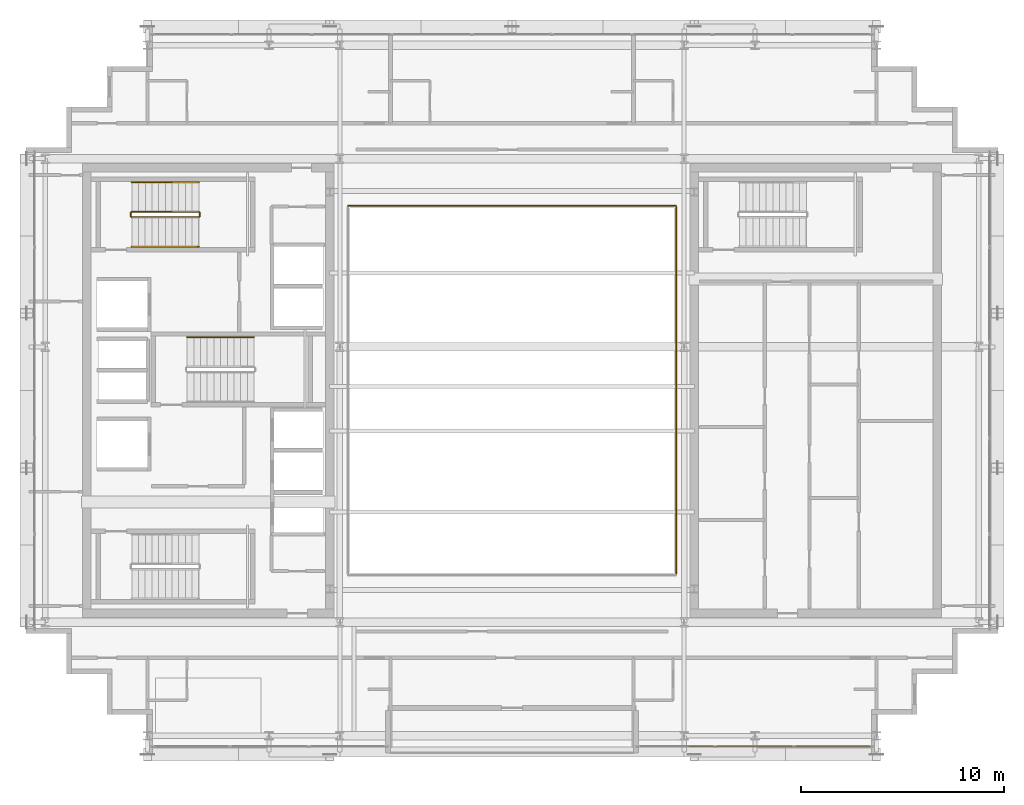
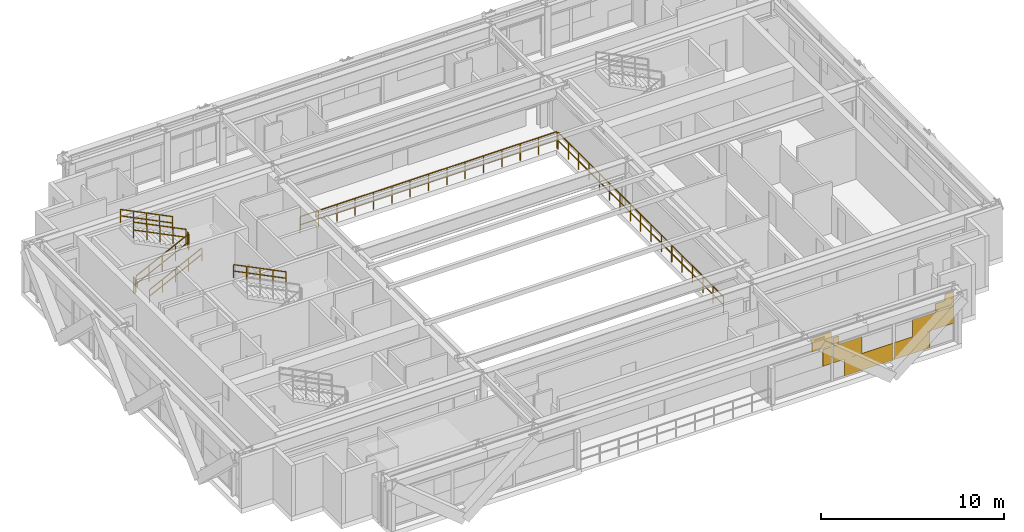
# One storey, part 27 of 29: 9 railings, 1 covering.
"""IFC4 building model written with IfcOpenShell, lengths in metres."""

from ifc_helpers import new_model, si_unit, direction, frame, origin, origin_2d, place, context, subcontext, project, spatial, rectangle, extrude, material, layer, layer_set, type_object, element, save


model = new_model("IFC4")

# Units and contexts
model_context = context("Model", 3, precision=1e-05, world=origin(), true_north=direction((0.0, 1.0)))
body_context = subcontext(model_context, "Body", "Model", "MODEL_VIEW")
ifc_project = project(units=[si_unit("LENGTHUNIT", "METRE"), si_unit("AREAUNIT", "SQUARE_METRE"), si_unit("VOLUMEUNIT", "CUBIC_METRE"), si_unit("PLANEANGLEUNIT", "RADIAN"), si_unit("MASSUNIT", "GRAM", prefix="KILO")], contexts=[model_context])

# Site, building, storey
site_placement = place(None, origin())
site = spatial("IfcSite", under=ifc_project, at=site_placement, CompositionType="ELEMENT")
building_placement = place(site_placement, origin())
building = spatial("IfcBuilding", under=site, at=building_placement, Name="Ocotamira Hotel", CompositionType="ELEMENT")
storey_placement = place(building_placement, frame((0.0, 0.0, 247.199951171875)))
storey = spatial("IfcBuildingStorey", under=building, at=storey_placement, Name="L62", CompositionType="ELEMENT", Elevation=247.199951171875)

# Covering
ifc_material_1 = material(Name="Insulated pale-metal aluminium spandrel panel", Category="aluminium")
ifc_layer = layer(ifc_material_1, 0.044921875)
ifc_layer_set = layer_set([ifc_layer], Name="Insulated pale-metal aluminium spandrel panel")
covering_type = type_object("IfcCoveringType", Name="COV-INFILL-45", PredefinedType="CLADDING", material=ifc_layer_set)
covering_placement = place(storey_placement, origin())
element("IfcCovering", 1, at=covering_placement, inside=storey, type_object=covering_type, Name="L62 Curtain Wall Infill CW-5 CW-L62-S2", PredefinedType="CLADDING", context=body_context, shape_type="SweptSolid", body=[
    extrude(rectangle(XDim=0.54931640625, YDim=0.044921875, at=origin_2d()), frame((41.71826171875, 8.419921875, 1.1943359375), z_axis=(0.0, 0.0, 1.0), x_axis=(1.0, 0.0, 0.0)), (0.0, 0.0, 1.0), 1.11767578125),
    extrude(rectangle(XDim=1.23388671875, YDim=0.044921875, at=origin_2d()), frame((41.3759765625, 8.419921875, 2.387939453125), z_axis=(0.0, 0.0, 1.0), x_axis=(1.0, 0.0, 0.0)), (0.0, 0.0, 1.0), 0.91650390625),
    extrude(rectangle(XDim=1.831787109375, YDim=0.044921875, at=origin_2d()), frame((42.98974609375, 8.419921875, 1.1943359375), z_axis=(0.0, 0.0, 1.0), x_axis=(1.0, 0.0, 0.0)), (0.0, 0.0, 1.0), 1.11767578125),
    extrude(rectangle(XDim=3.072021484375, YDim=0.044921875, at=origin_2d()), frame((44.340087890625, 8.419921875, 0.07568359375), z_axis=(0.0, 0.0, 1.0), x_axis=(1.0, 0.0, 0.0)), (0.0, 0.0, 1.0), 1.117919921875),
    extrude(rectangle(XDim=0.3798828125, YDim=0.044921875, at=origin_2d()), frame((42.263671875, 8.419921875, 2.38818359375), z_axis=(0.0, 0.0, 1.0), x_axis=(1.0, 0.0, 0.0)), (0.0, 0.0, 1.0), 0.487060546875),
    extrude(rectangle(XDim=2.238525390625, YDim=0.044921875, at=origin_2d()), frame((47.076416015625, 8.419921875, 0.07568359375), z_axis=(0.0, 0.0, 1.0), x_axis=(1.0, 0.0, 0.0)), (0.0, 0.0, 1.0), 1.117919921875),
    extrude(rectangle(XDim=2.625, YDim=0.044921875, at=origin_2d()), frame((48.406982421875, 8.419921875, 1.1943359375), z_axis=(0.0, 0.0, 1.0), x_axis=(1.0, 0.0, 0.0)), (0.0, 0.0, 1.0), 1.11767578125),
    extrude(rectangle(XDim=1.173095703125, YDim=0.044921875, at=origin_2d()), frame((49.1328125, 8.419921875, 2.38818359375), z_axis=(0.0, 0.0, 1.0), x_axis=(1.0, 0.0, 0.0)), (0.0, 0.0, 1.0), 0.487060546875),
    extrude(rectangle(XDim=0.57958984375, YDim=0.044921875, at=origin_2d()), frame((49.4296875, 8.419921875, 2.8759765625), z_axis=(0.0, 0.0, 1.0), x_axis=(1.0, 0.0, 0.0)), (0.0, 0.0, 1.0), 0.428466796875),
])

# Railings
ifc_material_2 = material(Name="Painted steel stair guardrail", Category="steel")
railing_type_1 = type_object("IfcRailingType", Name="RL-EDGE-1150", PredefinedType="GUARDRAIL", material=ifc_material_2)
railing_1_placement = place(storey_placement, frame((40.1201171875, 16.9599609375, 0.0)))
element("IfcRailing", 2, at=railing_1_placement, inside=storey, type_object=railing_type_1, Name="L62 Central Atrium Edge Guardrail E", PredefinedType="GUARDRAIL", context=body_context, shape_type="SweptSolid", body=[
    extrude(rectangle(XDim=0.048095703125, YDim=0.048095703125, at=origin_2d()), frame((0.0, 0.0, 1.1259765625), z_axis=(0.0, 1.0, 0.0), x_axis=(-1.0, 0.0, 0.0)), (0.0, 0.0, 1.0), 18.080078125),
    extrude(rectangle(XDim=0.048095703125, YDim=0.048095703125, at=origin_2d()), frame((0.0, 0.0, 0.574951171875), z_axis=(0.0, 1.0, 0.0), x_axis=(-1.0, 0.0, 0.0)), (0.0, 0.0, 1.0), 18.080078125),
    extrude(rectangle(XDim=0.0419921875, YDim=0.0419921875, at=origin_2d()), origin(), (0.0, 0.0, 1.0), 1.101806640625),
    extrude(rectangle(XDim=0.0419921875, YDim=0.0419921875, at=origin_2d()), frame((0.0, 1.1298828125, 0.0)), (0.0, 0.0, 1.0), 1.101806640625),
    extrude(rectangle(XDim=0.0419921875, YDim=0.0419921875, at=origin_2d()), frame((0.0, 2.260009765625, 0.0)), (0.0, 0.0, 1.0), 1.101806640625),
    extrude(rectangle(XDim=0.0419921875, YDim=0.0419921875, at=origin_2d()), frame((0.0, 3.39013671875, 0.0)), (0.0, 0.0, 1.0), 1.101806640625),
    extrude(rectangle(XDim=0.0419921875, YDim=0.0419921875, at=origin_2d()), frame((0.0, 4.52001953125, 0.0)), (0.0, 0.0, 1.0), 1.101806640625),
    extrude(rectangle(XDim=0.0419921875, YDim=0.0419921875, at=origin_2d()), frame((0.0, 5.64990234375, 0.0)), (0.0, 0.0, 1.0), 1.101806640625),
    extrude(rectangle(XDim=0.0419921875, YDim=0.0419921875, at=origin_2d()), frame((0.0, 6.780029296875, 0.0)), (0.0, 0.0, 1.0), 1.101806640625),
    extrude(rectangle(XDim=0.0419921875, YDim=0.0419921875, at=origin_2d()), frame((0.0, 7.91015625, 0.0)), (0.0, 0.0, 1.0), 1.101806640625),
    extrude(rectangle(XDim=0.0419921875, YDim=0.0419921875, at=origin_2d()), frame((0.0, 9.0400390625, 0.0)), (0.0, 0.0, 1.0), 1.101806640625),
    extrude(rectangle(XDim=0.0419921875, YDim=0.0419921875, at=origin_2d()), frame((0.0, 10.169921875, 0.0)), (0.0, 0.0, 1.0), 1.101806640625),
    extrude(rectangle(XDim=0.0419921875, YDim=0.0419921875, at=origin_2d()), frame((0.0, 11.300048828125, 0.0)), (0.0, 0.0, 1.0), 1.101806640625),
    extrude(rectangle(XDim=0.0419921875, YDim=0.0419921875, at=origin_2d()), frame((0.0, 12.43017578125, 0.0)), (0.0, 0.0, 1.0), 1.101806640625),
    extrude(rectangle(XDim=0.0419921875, YDim=0.0419921875, at=origin_2d()), frame((0.0, 13.56005859375, 0.0)), (0.0, 0.0, 1.0), 1.101806640625),
    extrude(rectangle(XDim=0.0419921875, YDim=0.0419921875, at=origin_2d()), frame((0.0, 14.68994140625, 0.0)), (0.0, 0.0, 1.0), 1.101806640625),
    extrude(rectangle(XDim=0.0419921875, YDim=0.0419921875, at=origin_2d()), frame((0.0, 15.820068359375, 0.0)), (0.0, 0.0, 1.0), 1.101806640625),
    extrude(rectangle(XDim=0.0419921875, YDim=0.0419921875, at=origin_2d()), frame((0.0, 16.9501953125, 0.0)), (0.0, 0.0, 1.0), 1.101806640625),
    extrude(rectangle(XDim=0.0419921875, YDim=0.0419921875, at=origin_2d()), frame((0.0, 18.080078125, 0.0)), (0.0, 0.0, 1.0), 1.101806640625),
])
railing_2_placement = place(storey_placement, frame((40.10009765625, 35.1201171875, 0.0)))
element("IfcRailing", 3, at=railing_2_placement, inside=storey, type_object=railing_type_1, Name="L62 Central Atrium Edge Guardrail N", PredefinedType="GUARDRAIL", context=body_context, shape_type="SweptSolid", body=[
    extrude(rectangle(XDim=0.048095703125, YDim=0.048095703125, at=origin_2d()), frame((0.0, 0.0, 1.1259765625), z_axis=(-1.0, 0.0, 0.0), x_axis=(0.0, -1.0, 0.0)), (0.0, 0.0, 1.0), 16.2001953125),
    extrude(rectangle(XDim=0.048095703125, YDim=0.048095703125, at=origin_2d()), frame((0.0, 0.0, 0.574951171875), z_axis=(-1.0, 0.0, 0.0), x_axis=(0.0, -1.0, 0.0)), (0.0, 0.0, 1.0), 16.2001953125),
    extrude(rectangle(XDim=0.0419921875, YDim=0.0419921875, at=origin_2d()), origin(), (0.0, 0.0, 1.0), 1.101806640625),
    extrude(rectangle(XDim=0.0419921875, YDim=0.0419921875, at=origin_2d()), frame((-1.1572265625, 0.0, 0.0)), (0.0, 0.0, 1.0), 1.101806640625),
    extrude(rectangle(XDim=0.0419921875, YDim=0.0419921875, at=origin_2d()), frame((-2.314208984375, 0.0, 0.0)), (0.0, 0.0, 1.0), 1.101806640625),
    extrude(rectangle(XDim=0.0419921875, YDim=0.0419921875, at=origin_2d()), frame((-3.471435546875, 0.0, 0.0)), (0.0, 0.0, 1.0), 1.101806640625),
    extrude(rectangle(XDim=0.0419921875, YDim=0.0419921875, at=origin_2d()), frame((-4.628662109375, 0.0, 0.0)), (0.0, 0.0, 1.0), 1.101806640625),
    extrude(rectangle(XDim=0.0419921875, YDim=0.0419921875, at=origin_2d()), frame((-5.785888671875, 0.0, 0.0)), (0.0, 0.0, 1.0), 1.101806640625),
    extrude(rectangle(XDim=0.0419921875, YDim=0.0419921875, at=origin_2d()), frame((-6.94287109375, 0.0, 0.0)), (0.0, 0.0, 1.0), 1.101806640625),
    extrude(rectangle(XDim=0.0419921875, YDim=0.0419921875, at=origin_2d()), frame((-8.10009765625, 0.0, 0.0)), (0.0, 0.0, 1.0), 1.101806640625),
    extrude(rectangle(XDim=0.0419921875, YDim=0.0419921875, at=origin_2d()), frame((-9.25732421875, 0.0, 0.0)), (0.0, 0.0, 1.0), 1.101806640625),
    extrude(rectangle(XDim=0.0419921875, YDim=0.0419921875, at=origin_2d()), frame((-10.414306640625, 0.0, 0.0)), (0.0, 0.0, 1.0), 1.101806640625),
    extrude(rectangle(XDim=0.0419921875, YDim=0.0419921875, at=origin_2d()), frame((-11.571533203125, 0.0, 0.0)), (0.0, 0.0, 1.0), 1.101806640625),
    extrude(rectangle(XDim=0.0419921875, YDim=0.0419921875, at=origin_2d()), frame((-12.728759765625, 0.0, 0.0)), (0.0, 0.0, 1.0), 1.101806640625),
    extrude(rectangle(XDim=0.0419921875, YDim=0.0419921875, at=origin_2d()), frame((-13.885986328125, 0.0, 0.0)), (0.0, 0.0, 1.0), 1.101806640625),
    extrude(rectangle(XDim=0.0419921875, YDim=0.0419921875, at=origin_2d()), frame((-15.04296875, 0.0, 0.0)), (0.0, 0.0, 1.0), 1.101806640625),
    extrude(rectangle(XDim=0.0419921875, YDim=0.0419921875, at=origin_2d()), frame((-16.2001953125, 0.0, 0.0)), (0.0, 0.0, 1.0), 1.101806640625),
])
ifc_material_3 = material(Name="Brushed stainless steel handrail", Category="steel")
railing_type_2 = type_object("IfcRailingType", Name="RL-HAND-900", PredefinedType="HANDRAIL", material=ifc_material_3)
railing_3_placement = place(storey_placement, frame((13.22998046875, 33.10009765625, 0.327392578125)))
element("IfcRailing", 4, at=railing_3_placement, inside=storey, type_object=railing_type_2, Name="L62 ST-2 stair handrail 1", PredefinedType="HANDRAIL", context=body_context, shape_type="SweptSolid", body=[
    extrude(rectangle(XDim=0.048095703125, YDim=0.048095703125, at=origin_2d()), frame((0.0, 0.0, 0.8759765625), z_axis=(0.895920123917, 0.0, 0.444215186098), x_axis=(0.0, 1.0, 0.0)), (0.0, 0.0, 1.0), 3.683349609375),
    extrude(rectangle(XDim=0.048095703125, YDim=0.048095703125, at=origin_2d()), frame((0.0, 0.0, 0.449951171875), z_axis=(0.895920123917, 0.0, 0.444215186098), x_axis=(0.0, 1.0, 0.0)), (0.0, 0.0, 1.0), 3.683349609375),
    extrude(rectangle(XDim=0.0419921875, YDim=0.0419921875, at=origin_2d()), origin(), (0.0, 0.0, 1.0), 0.851806640625),
    extrude(rectangle(XDim=0.0419921875, YDim=0.0419921875, at=origin_2d()), frame((0.824951171875, 0.0, 0.4091796875)), (0.0, 0.0, 1.0), 0.851806640625),
    extrude(rectangle(XDim=0.0419921875, YDim=0.0419921875, at=origin_2d()), frame((1.64990234375, 0.0, 0.818115234375)), (0.0, 0.0, 1.0), 0.851806640625),
    extrude(rectangle(XDim=0.0419921875, YDim=0.0419921875, at=origin_2d()), frame((2.47509765625, 0.0, 1.22705078125)), (0.0, 0.0, 1.0), 0.851806640625),
    extrude(rectangle(XDim=0.0419921875, YDim=0.0419921875, at=origin_2d()), frame((3.300048828125, 0.0, 1.63623046875)), (0.0, 0.0, 1.0), 0.851806640625),
])
for number, where, name in (
    (5, (16.530029296875, 36.280029296875, 2.12744140625), "L62 ST-2 stair handrail 2"),
    (6, (19.260009765625, 28.6298828125, 2.12744140625), "L62 ST-3 stair handrail 2"),
):
    element("IfcRailing", number, at=place(storey_placement, frame(where)), inside=storey, type_object=railing_type_2, Name=name, PredefinedType="HANDRAIL", context=body_context, shape_type="SweptSolid", body=[
        extrude(rectangle(XDim=0.048095703125, YDim=0.048095703125, at=origin_2d()), frame((0.0, 0.0, 0.8759765625), z_axis=(-0.895920123917, 0.0, 0.444215186098), x_axis=(0.0, -1.0, 0.0)), (0.0, 0.0, 1.0), 3.683349609375),
        extrude(rectangle(XDim=0.048095703125, YDim=0.048095703125, at=origin_2d()), frame((0.0, 0.0, 0.449951171875), z_axis=(-0.895920123917, 0.0, 0.444215186098), x_axis=(0.0, -1.0, 0.0)), (0.0, 0.0, 1.0), 3.683349609375),
        extrude(rectangle(XDim=0.0419921875, YDim=0.0419921875, at=origin_2d()), origin(), (0.0, 0.0, 1.0), 0.851806640625),
        extrude(rectangle(XDim=0.0419921875, YDim=0.0419921875, at=origin_2d()), frame((-0.824951171875, 0.0, 0.4091796875)), (0.0, 0.0, 1.0), 0.851806640625),
        extrude(rectangle(XDim=0.0419921875, YDim=0.0419921875, at=origin_2d()), frame((-1.64990234375, 0.0, 0.818115234375)), (0.0, 0.0, 1.0), 0.851806640625),
        extrude(rectangle(XDim=0.0419921875, YDim=0.0419921875, at=origin_2d()), frame((-2.47509765625, 0.0, 1.22705078125)), (0.0, 0.0, 1.0), 0.851806640625),
        extrude(rectangle(XDim=0.0419921875, YDim=0.0419921875, at=origin_2d()), frame((-3.300048828125, 0.0, 1.63623046875)), (0.0, 0.0, 1.0), 0.851806640625),
    ])
railing_type_3 = type_object("IfcRailingType", Name="RL-STAIR-1100", PredefinedType="GUARDRAIL", material=ifc_material_2)
railing_4_placement = place(storey_placement, frame((13.22998046875, 34.56005859375, 0.16357421875)))
element("IfcRailing", 7, at=railing_4_placement, inside=storey, type_object=railing_type_3, Name="L62 ST-2 stair guard 1", PredefinedType="GUARDRAIL", context=body_context, shape_type="SweptSolid", body=[
    extrude(rectangle(XDim=0.048095703125, YDim=0.048095703125, at=origin_2d()), frame((0.0, 0.0, 1.076171875), z_axis=(0.895893744519, 0.0, 0.4442683857), x_axis=(0.0, 1.0, 0.0)), (0.0, 0.0, 1.0), 3.68359375),
    extrude(rectangle(XDim=0.048095703125, YDim=0.048095703125, at=origin_2d()), frame((0.0, 0.0, 0.550048828125), z_axis=(0.895893744519, 0.0, 0.4442683857), x_axis=(0.0, 1.0, 0.0)), (0.0, 0.0, 1.0), 3.68359375),
    extrude(rectangle(XDim=0.0419921875, YDim=0.0419921875, at=origin_2d()), origin(), (0.0, 0.0, 1.0), 1.052001953125),
    extrude(rectangle(XDim=0.0419921875, YDim=0.0419921875, at=origin_2d()), frame((0.824951171875, 0.0, 0.4091796875)), (0.0, 0.0, 1.0), 1.052001953125),
    extrude(rectangle(XDim=0.0419921875, YDim=0.0419921875, at=origin_2d()), frame((1.64990234375, 0.0, 0.818359375)), (0.0, 0.0, 1.0), 1.052001953125),
    extrude(rectangle(XDim=0.0419921875, YDim=0.0419921875, at=origin_2d()), frame((2.47509765625, 0.0, 1.227294921875)), (0.0, 0.0, 1.0), 1.052001953125),
    extrude(rectangle(XDim=0.0419921875, YDim=0.0419921875, at=origin_2d()), frame((3.300048828125, 0.0, 1.636474609375)), (0.0, 0.0, 1.0), 1.052001953125),
])
railing_5_placement = place(storey_placement, frame((16.580078125, 34.610107421875, 1.800048828125)))
element("IfcRailing", 8, at=railing_5_placement, inside=storey, type_object=railing_type_3, Name="L62 ST-2 stair guard 2", PredefinedType="GUARDRAIL", context=body_context, shape_type="SweptSolid", body=[
    extrude(rectangle(XDim=0.048095703125, YDim=0.048095703125, at=origin_2d()), frame((0.0, 0.0, 1.076171875), z_axis=(0.0, 1.0, 0.0), x_axis=(-1.0, 0.0, 0.0)), (0.0, 0.0, 1.0), 0.159912109375),
    extrude(rectangle(XDim=0.048095703125, YDim=0.048095703125, at=origin_2d()), frame((0.0, 0.0, 0.550048828125), z_axis=(0.0, 1.0, 0.0), x_axis=(-1.0, 0.0, 0.0)), (0.0, 0.0, 1.0), 0.159912109375),
    extrude(rectangle(XDim=0.0419921875, YDim=0.0419921875, at=origin_2d()), origin(), (0.0, 0.0, 1.0), 1.052001953125),
    extrude(rectangle(XDim=0.0419921875, YDim=0.0419921875, at=origin_2d()), frame((0.0, 0.159912109375, 0.0)), (0.0, 0.0, 1.0), 1.052001953125),
])
railing_6_placement = place(storey_placement, frame((16.530029296875, 34.820068359375, 1.963623046875)))
element("IfcRailing", 9, at=railing_6_placement, inside=storey, type_object=railing_type_3, Name="L62 ST-2 stair guard 3", PredefinedType="GUARDRAIL", context=body_context, shape_type="SweptSolid", body=[
    extrude(rectangle(XDim=0.048095703125, YDim=0.048095703125, at=origin_2d()), frame((0.0, 0.0, 1.076171875), z_axis=(-0.895893744519, 0.0, 0.4442683857), x_axis=(0.0, -1.0, 0.0)), (0.0, 0.0, 1.0), 3.68359375),
    extrude(rectangle(XDim=0.048095703125, YDim=0.048095703125, at=origin_2d()), frame((0.0, 0.0, 0.550048828125), z_axis=(-0.895893744519, 0.0, 0.4442683857), x_axis=(0.0, -1.0, 0.0)), (0.0, 0.0, 1.0), 3.68359375),
    extrude(rectangle(XDim=0.0419921875, YDim=0.0419921875, at=origin_2d()), origin(), (0.0, 0.0, 1.0), 1.052001953125),
    extrude(rectangle(XDim=0.0419921875, YDim=0.0419921875, at=origin_2d()), frame((-0.824951171875, 0.0, 0.4091796875)), (0.0, 0.0, 1.0), 1.052001953125),
    extrude(rectangle(XDim=0.0419921875, YDim=0.0419921875, at=origin_2d()), frame((-1.64990234375, 0.0, 0.818359375)), (0.0, 0.0, 1.0), 1.052001953125),
    extrude(rectangle(XDim=0.0419921875, YDim=0.0419921875, at=origin_2d()), frame((-2.47509765625, 0.0, 1.227294921875)), (0.0, 0.0, 1.0), 1.052001953125),
    extrude(rectangle(XDim=0.0419921875, YDim=0.0419921875, at=origin_2d()), frame((-3.300048828125, 0.0, 1.636474609375)), (0.0, 0.0, 1.0), 1.052001953125),
])
railing_7_placement = place(storey_placement, frame((13.179931640625, 34.610107421875, 0.0)))
element("IfcRailing", 10, at=railing_7_placement, inside=storey, type_object=railing_type_3, Name="L62 ST-2 stair guard 4", PredefinedType="GUARDRAIL", context=body_context, shape_type="SweptSolid", body=[
    extrude(rectangle(XDim=0.048095703125, YDim=0.048095703125, at=origin_2d()), frame((0.0, 0.0, 1.076171875), z_axis=(0.0, 1.0, 0.0), x_axis=(-1.0, 0.0, 0.0)), (0.0, 0.0, 1.0), 0.159912109375),
    extrude(rectangle(XDim=0.048095703125, YDim=0.048095703125, at=origin_2d()), frame((0.0, 0.0, 0.550048828125), z_axis=(0.0, 1.0, 0.0), x_axis=(-1.0, 0.0, 0.0)), (0.0, 0.0, 1.0), 0.159912109375),
    extrude(rectangle(XDim=0.0419921875, YDim=0.0419921875, at=origin_2d()), origin(), (0.0, 0.0, 1.0), 1.052001953125),
    extrude(rectangle(XDim=0.0419921875, YDim=0.0419921875, at=origin_2d()), frame((0.0, 0.159912109375, 0.0)), (0.0, 0.0, 1.0), 1.052001953125),
])

save(model, "model.ifc")
